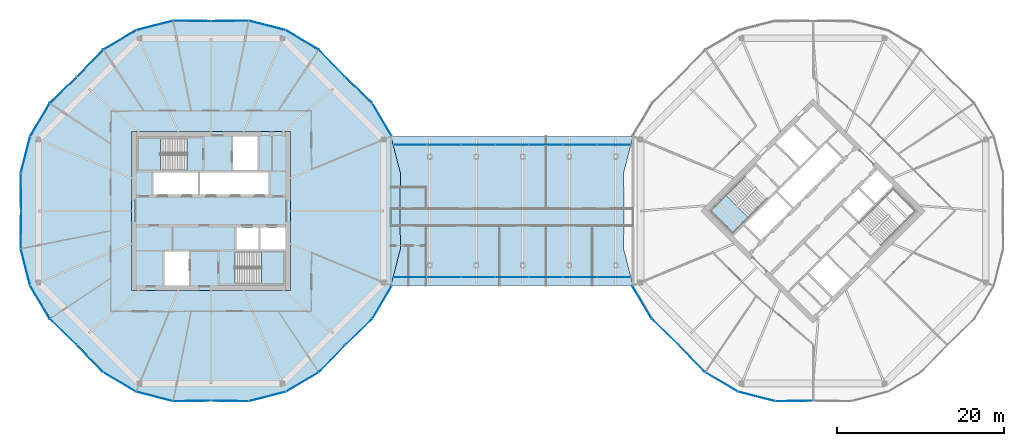
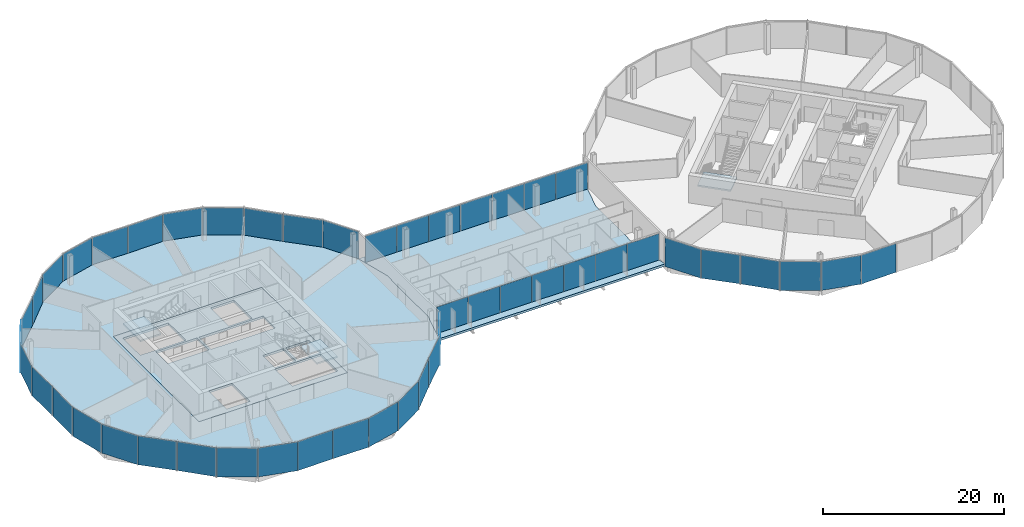
# One storey, part 17 of 25: 48 plates, 6 slabs, 15 elements without a shape of their own.
"""IFC4 building model written with IfcOpenShell, lengths in metres."""

from ifc_helpers import new_model, si_unit, direction, frame, origin, origin_2d, place, context, subcontext, project, spatial, polyline, rectangle, outline, extrude, material, layer, layer_set, type_object, element, aggregate, save


model = new_model("IFC4")

# Units and contexts
model_context = context("Model", 3, precision=1e-05, world=origin(), true_north=direction((0.0, 1.0)))
body_context = subcontext(model_context, "Body", "Model", "MODEL_VIEW")
ifc_project = project(units=[si_unit("LENGTHUNIT", "METRE"), si_unit("AREAUNIT", "SQUARE_METRE"), si_unit("VOLUMEUNIT", "CUBIC_METRE"), si_unit("PLANEANGLEUNIT", "RADIAN"), si_unit("MASSUNIT", "GRAM", prefix="KILO")], contexts=[model_context])

# Site, building, storey
site_placement = place(None, origin())
site = spatial("IfcSite", under=ifc_project, at=site_placement, CompositionType="ELEMENT")
building_placement = place(site_placement, origin())
building = spatial("IfcBuilding", under=site, at=building_placement, Name="Ogive Gate Towers", CompositionType="ELEMENT")
storey_placement = place(building_placement, frame((0.0, 0.0, 144.800048828125)))
storey = spatial("IfcBuildingStorey", under=building, at=storey_placement, Name="L34", CompositionType="ELEMENT", Elevation=144.800048828125)

# Slabs
ifc_material_1 = material(Name="Concrete C40/50", Category="concrete")
ifc_layer_1 = layer(ifc_material_1, 0.300048828125)
ifc_layer_set_1 = layer_set([ifc_layer_1], Name="Core slab C40/50 300 mm")
slab_type_1 = type_object("IfcSlabType", Name="Core slab C40/50 300 mm", PredefinedType="FLOOR", material=ifc_layer_set_1)
slab_1_placement = place(storey_placement, frame((0.0, 0.0, -0.300048828125)))
element("IfcSlab", 1, at=slab_1_placement, inside=storey, type_object=slab_type_1, Name="T1 L34 core slab", PredefinedType="FLOOR", context=body_context, shape_type="SweptSolid", body=[
    extrude(outline(polyline([(-45.5, -9.5), (-45.5, 9.5), (-26.5, 9.5), (-26.5, -9.5), (-45.5, -9.5)]), holes=[polyline([(-42.875, 1.949951171875), (-37.574951171875, 1.949951171875), (-37.574951171875, 4.625), (-42.875, 4.625), (-42.875, 1.949951171875)]), polyline([(-37.324951171875, 4.625), (-37.324951171875, 1.949951171875), (-29.125, 1.949951171875), (-29.125, 4.625), (-37.324951171875, 4.625)]), polyline([(-30.324951171875, -1.949951171875), (-32.97509765625, -1.949951171875), (-32.97509765625, -4.625), (-30.324951171875, -4.625), (-30.324951171875, -1.949951171875)]), polyline([(-27.10009765625, -4.625), (-27.10009765625, -1.949951171875), (-30.074951171875, -1.949951171875), (-30.074951171875, -4.625), (-27.10009765625, -4.625)]), polyline([(-33.375, 4.875), (-30.425048828125, 4.875), (-30.425048828125, 8.89990234375), (-33.375, 8.89990234375), (-33.375, 4.875)]), polyline([(-41.574951171875, -4.875), (-41.574951171875, -8.89990234375), (-38.625, -8.89990234375), (-38.625, -4.875), (-41.574951171875, -4.875)]), polyline([(-44.699951171875, 4.875), (-38.885009765625, 4.875), (-38.885009765625, 8.699951171875), (-44.699951171875, 8.699951171875), (-44.699951171875, 4.875)]), polyline([(-27.300048828125, -8.699951171875), (-27.300048828125, -4.875), (-33.114990234375, -4.875), (-33.114990234375, -8.699951171875), (-27.300048828125, -8.699951171875)])]), origin(), (0.0, 0.0, 1.0), 0.300048828125),
])
ifc_material_2 = material(Name="Concrete C35/45", Category="concrete")
ifc_layer_2 = layer(ifc_material_2, 0.300048828125)
ifc_layer_set_2 = layer_set([ifc_layer_2], Name="Floor slab 300")
slab_type_2 = type_object("IfcSlabType", Name="Floor slab 300", PredefinedType="FLOOR", material=ifc_layer_set_2)
slab_2_placement = place(storey_placement, frame((0.0, 0.0, -0.300048828125)))
element("IfcSlab", 2, at=slab_2_placement, inside=storey, type_object=slab_type_2, Name="T1/L34/SSL001", PredefinedType="FLOOR", context=body_context, shape_type="SweptSolid", body=[
    extrude(outline(polyline([(-13.34375, -4.506591796875), (-13.39990234375, 0.0), (-13.34375, 4.506591796875), (-14.4736328125, 8.91650390625), (-16.79296875, 12.833740234375), (-20.019287109375, 15.980712890625), (-23.166259765625, 19.20703125), (-27.08349609375, 21.5263671875), (-31.493408203125, 22.65625), (-36.0, 22.60009765625), (-40.506591796875, 22.65625), (-44.91650390625, 21.5263671875), (-48.833740234375, 19.20703125), (-51.980712890625, 15.980712890625), (-55.20703125, 12.833740234375), (-57.5263671875, 8.91650390625), (-58.65625, 4.506591796875), (-58.60009765625, 0.0), (-58.65625, -4.506591796875), (-57.5263671875, -8.91650390625), (-55.20703125, -12.833740234375), (-51.980712890625, -15.980712890625), (-48.833740234375, -19.20703125), (-44.91650390625, -21.5263671875), (-40.506591796875, -22.65625), (-36.0, -22.60009765625), (-31.493408203125, -22.65625), (-27.08349609375, -21.5263671875), (-23.166259765625, -19.20703125), (-20.019287109375, -15.980712890625), (-16.79296875, -12.833740234375), (-14.4736328125, -8.91650390625), (-13.34375, -4.506591796875)]), holes=[polyline([(-26.5, -9.5), (-45.5, -9.5), (-45.5, 9.5), (-26.5, 9.5), (-26.5, -9.5)])]), origin(), (0.0, 0.0, 1.0), 0.300048828125),
])
slab_3_placement = place(storey_placement, frame((0.0, 0.0, -0.300048828125)))
element("IfcSlab", 3, at=slab_3_placement, inside=storey, type_object=slab_type_2, Name="BR/L34/SSL001", PredefinedType="FLOOR", context=body_context, shape_type="SweptSolid", body=[
    extrude(outline(polyline([(-14.4736328125, -8.91650390625), (14.4736328125, -8.91650390625), (14.4736328125, -8.91650390625), (13.34375, -4.506591796875), (13.39990234375, 0.0), (13.34375, 4.506591796875), (14.4736328125, 8.91650390625), (-14.4736328125, 8.91650390625), (-13.34375, 4.506591796875), (-13.39990234375, 0.0), (-13.34375, -4.506591796875), (-14.4736328125, -8.91650390625), (-14.4736328125, -8.91650390625)])), origin(), (0.0, 0.0, 1.0), 0.300048828125),
])

# Curtain wall, plates
ifc_material_3 = material(Name="Pale metal aluminium", Category="aluminium")
curtain_wall_type_1 = type_object("IfcCurtainWallType", Name="Gate block facade", PredefinedType="NOTDEFINED", material=ifc_material_3)
curtain_wall_1_placement = place(storey_placement, origin())
curtain_wall_1 = element("IfcCurtainWall", 4, at=curtain_wall_1_placement, inside=storey, type_object=curtain_wall_type_1, Name="CW3 BR ECW01", PredefinedType="NOTDEFINED")
ifc_material_4 = material(Name="Clear glass", Category="glass")
ifc_layer_3 = layer(ifc_material_4, 0.028076171875)
ifc_layer_set_3 = layer_set([ifc_layer_3], Name="Gate block facade glass panel")
plate_type_1 = type_object("IfcPlateType", Name="Gate block facade glass panel", PredefinedType="CURTAIN_PANEL", material=ifc_layer_set_3)
plate_1_placement = place(storey_placement, frame((-12.186279296875, -7.91650390625, -0.30029296875), z_axis=(0.0, 0.0, 1.0), x_axis=(1.0, 0.0, 0.0)))
plate_1 = element("IfcPlate", 5, at=plate_1_placement, type_object=plate_type_1, Name="CW3 glass panel", PredefinedType="CURTAIN_PANEL", context=body_context, shape_type="SweptSolid", body=[
    extrude(rectangle(XDim=4.008056640625, YDim=0.028076171875, at=origin_2d()), origin(), (0.0, 0.0, 1.0), 3.884033203125),
])
plate_2_placement = place(storey_placement, frame((-8.124267578125, -7.91650390625, -0.30029296875), z_axis=(0.0, 0.0, 1.0), x_axis=(1.0, 0.0, 0.0)))
plate_2 = element("IfcPlate", 6, at=plate_2_placement, type_object=plate_type_1, Name="CW3 glass panel", PredefinedType="CURTAIN_PANEL", context=body_context, shape_type="SweptSolid", body=[
    extrude(rectangle(XDim=4.008056640625, YDim=0.028076171875, at=origin_2d()), origin(), (0.0, 0.0, 1.0), 3.884033203125),
])
plate_3_placement = place(storey_placement, frame((-4.06201171875, -7.91650390625, -0.30029296875), z_axis=(0.0, 0.0, 1.0), x_axis=(1.0, 0.0, 0.0)))
plate_3 = element("IfcPlate", 7, at=plate_3_placement, type_object=plate_type_1, Name="CW3 glass panel", PredefinedType="CURTAIN_PANEL", context=body_context, shape_type="SweptSolid", body=[
    extrude(rectangle(XDim=4.008056640625, YDim=0.028076171875, at=origin_2d()), origin(), (0.0, 0.0, 1.0), 3.884033203125),
])
plate_4_placement = place(storey_placement, frame((0.0, -7.91650390625, -0.30029296875), z_axis=(0.0, 0.0, 1.0), x_axis=(1.0, 0.0, 0.0)))
plate_4 = element("IfcPlate", 8, at=plate_4_placement, type_object=plate_type_1, Name="CW3 glass panel", PredefinedType="CURTAIN_PANEL", context=body_context, shape_type="SweptSolid", body=[
    extrude(rectangle(XDim=4.00830078125, YDim=0.028076171875, at=origin_2d()), origin(), (0.0, 0.0, 1.0), 3.884033203125),
])
plate_5_placement = place(storey_placement, frame((4.06201171875, -7.91650390625, -0.30029296875), z_axis=(0.0, 0.0, 1.0), x_axis=(1.0, 0.0, 0.0)))
plate_5 = element("IfcPlate", 9, at=plate_5_placement, type_object=plate_type_1, Name="CW3 glass panel", PredefinedType="CURTAIN_PANEL", context=body_context, shape_type="SweptSolid", body=[
    extrude(rectangle(XDim=4.008056640625, YDim=0.028076171875, at=origin_2d()), origin(), (0.0, 0.0, 1.0), 3.884033203125),
])
plate_6_placement = place(storey_placement, frame((8.124267578125, -7.91650390625, -0.30029296875), z_axis=(0.0, 0.0, 1.0), x_axis=(1.0, 0.0, 0.0)))
plate_6 = element("IfcPlate", 10, at=plate_6_placement, type_object=plate_type_1, Name="CW3 glass panel", PredefinedType="CURTAIN_PANEL", context=body_context, shape_type="SweptSolid", body=[
    extrude(rectangle(XDim=4.008056640625, YDim=0.028076171875, at=origin_2d()), origin(), (0.0, 0.0, 1.0), 3.884033203125),
])
plate_7_placement = place(storey_placement, frame((12.186279296875, -7.91650390625, -0.30029296875), z_axis=(0.0, 0.0, 1.0), x_axis=(1.0, 0.0, 0.0)))
plate_7 = element("IfcPlate", 11, at=plate_7_placement, type_object=plate_type_1, Name="CW3 glass panel", PredefinedType="CURTAIN_PANEL", context=body_context, shape_type="SweptSolid", body=[
    extrude(rectangle(XDim=4.008056640625, YDim=0.028076171875, at=origin_2d()), origin(), (0.0, 0.0, 1.0), 3.884033203125),
])
aggregate(curtain_wall_1, [plate_1, plate_2, plate_3, plate_4, plate_5, plate_6, plate_7])

curtain_wall_2_placement = place(storey_placement, origin())
curtain_wall_2 = element("IfcCurtainWall", 12, at=curtain_wall_2_placement, inside=storey, type_object=curtain_wall_type_1, Name="CW3 BR ECW02", PredefinedType="NOTDEFINED")
plate_8_placement = place(storey_placement, frame((12.186279296875, 7.91650390625, -0.30029296875), z_axis=(0.0, 0.0, 1.0), x_axis=(-1.0, 0.0, 0.0)))
plate_8 = element("IfcPlate", 13, at=plate_8_placement, type_object=plate_type_1, Name="CW3 glass panel", PredefinedType="CURTAIN_PANEL", context=body_context, shape_type="SweptSolid", body=[
    extrude(rectangle(XDim=4.008056640625, YDim=0.028076171875, at=origin_2d()), origin(), (0.0, 0.0, 1.0), 3.884033203125),
])
plate_9_placement = place(storey_placement, frame((8.124267578125, 7.91650390625, -0.30029296875), z_axis=(0.0, 0.0, 1.0), x_axis=(-1.0, 0.0, 0.0)))
plate_9 = element("IfcPlate", 14, at=plate_9_placement, type_object=plate_type_1, Name="CW3 glass panel", PredefinedType="CURTAIN_PANEL", context=body_context, shape_type="SweptSolid", body=[
    extrude(rectangle(XDim=4.008056640625, YDim=0.028076171875, at=origin_2d()), origin(), (0.0, 0.0, 1.0), 3.884033203125),
])
plate_10_placement = place(storey_placement, frame((4.06201171875, 7.91650390625, -0.30029296875), z_axis=(0.0, 0.0, 1.0), x_axis=(-1.0, 0.0, 0.0)))
plate_10 = element("IfcPlate", 15, at=plate_10_placement, type_object=plate_type_1, Name="CW3 glass panel", PredefinedType="CURTAIN_PANEL", context=body_context, shape_type="SweptSolid", body=[
    extrude(rectangle(XDim=4.008056640625, YDim=0.028076171875, at=origin_2d()), origin(), (0.0, 0.0, 1.0), 3.884033203125),
])
plate_11_placement = place(storey_placement, frame((0.0, 7.91650390625, -0.30029296875), z_axis=(0.0, 0.0, 1.0), x_axis=(-1.0, 0.0, 0.0)))
plate_11 = element("IfcPlate", 16, at=plate_11_placement, type_object=plate_type_1, Name="CW3 glass panel", PredefinedType="CURTAIN_PANEL", context=body_context, shape_type="SweptSolid", body=[
    extrude(rectangle(XDim=4.00830078125, YDim=0.028076171875, at=origin_2d()), origin(), (0.0, 0.0, 1.0), 3.884033203125),
])
plate_12_placement = place(storey_placement, frame((-4.06201171875, 7.91650390625, -0.30029296875), z_axis=(0.0, 0.0, 1.0), x_axis=(-1.0, 0.0, 0.0)))
plate_12 = element("IfcPlate", 17, at=plate_12_placement, type_object=plate_type_1, Name="CW3 glass panel", PredefinedType="CURTAIN_PANEL", context=body_context, shape_type="SweptSolid", body=[
    extrude(rectangle(XDim=4.008056640625, YDim=0.028076171875, at=origin_2d()), origin(), (0.0, 0.0, 1.0), 3.884033203125),
])
plate_13_placement = place(storey_placement, frame((-8.124267578125, 7.91650390625, -0.30029296875), z_axis=(0.0, 0.0, 1.0), x_axis=(-1.0, 0.0, 0.0)))
plate_13 = element("IfcPlate", 18, at=plate_13_placement, type_object=plate_type_1, Name="CW3 glass panel", PredefinedType="CURTAIN_PANEL", context=body_context, shape_type="SweptSolid", body=[
    extrude(rectangle(XDim=4.008056640625, YDim=0.028076171875, at=origin_2d()), origin(), (0.0, 0.0, 1.0), 3.884033203125),
])
plate_14_placement = place(storey_placement, frame((-12.186279296875, 7.91650390625, -0.30029296875), z_axis=(0.0, 0.0, 1.0), x_axis=(-1.0, 0.0, 0.0)))
plate_14 = element("IfcPlate", 19, at=plate_14_placement, type_object=plate_type_1, Name="CW3 glass panel", PredefinedType="CURTAIN_PANEL", context=body_context, shape_type="SweptSolid", body=[
    extrude(rectangle(XDim=4.008056640625, YDim=0.028076171875, at=origin_2d()), origin(), (0.0, 0.0, 1.0), 3.884033203125),
])
aggregate(curtain_wall_2, [plate_8, plate_9, plate_10, plate_11, plate_12, plate_13, plate_14])

# Stair, slab
stair_type = type_object("IfcStairType", Name="Escape stair 1840 wide", PredefinedType="HALF_TURN_STAIR", material=ifc_material_1)
stair_1_placement = place(storey_placement, origin())
stair_1 = element("IfcStair", 20, at=stair_1_placement, inside=storey, type_object=stair_type, Name="L34 Escape stair 1", PredefinedType="HALF_TURN_STAIR")
ifc_layer_4 = layer(ifc_material_1, 0.199951171875)
ifc_layer_set_4 = layer_set([ifc_layer_4], Name="Stair landing 200 mm")
slab_type_3 = type_object("IfcSlabType", Name="Stair landing 200 mm", PredefinedType="LANDING", material=ifc_layer_set_4)
slab_4_placement = place(storey_placement, frame((0.0, 0.0, 1.800048828125)))
slab_4 = element("IfcSlab", 21, at=slab_4_placement, type_object=slab_type_3, Name="ST1 landing 1", PredefinedType="LANDING", context=body_context, shape_type="SweptSolid", body=[
    extrude(outline(polyline([(-42.027587890625, 8.699951171875), (-44.699951171875, 8.699951171875), (-44.699951171875, 4.875), (-42.027587890625, 4.875), (-42.027587890625, 8.699951171875)])), origin(), (0.0, 0.0, 1.0), 0.199951171875),
])
aggregate(stair_1, [slab_4])

stair_2_placement = place(storey_placement, origin())
stair_2 = element("IfcStair", 22, at=stair_2_placement, inside=storey, type_object=stair_type, Name="L34 Escape stair 2", PredefinedType="HALF_TURN_STAIR")
slab_5_placement = place(storey_placement, frame((0.0, 0.0, 1.800048828125)))
slab_5 = element("IfcSlab", 23, at=slab_5_placement, type_object=slab_type_3, Name="ST2 landing 1", PredefinedType="LANDING", context=body_context, shape_type="SweptSolid", body=[
    extrude(outline(polyline([(-29.972412109375, -8.699951171875), (-27.300048828125, -8.699951171875), (-27.300048828125, -4.875), (-29.972412109375, -4.875), (-29.972412109375, -8.699951171875)])), origin(), (0.0, 0.0, 1.0), 0.199951171875),
])
aggregate(stair_2, [slab_5])

stair_3_placement = place(storey_placement, origin())
stair_3 = element("IfcStair", 24, at=stair_3_placement, inside=storey, type_object=stair_type, Name="L34 Escape stair 1", PredefinedType="HALF_TURN_STAIR")
slab_6_placement = place(storey_placement, frame((0.0, 0.0, 1.800048828125)))
slab_6 = element("IfcSlab", 25, at=slab_6_placement, type_object=slab_type_3, Name="ST1 landing 1", PredefinedType="LANDING", context=body_context, shape_type="SweptSolid", body=[
    extrude(outline(polyline([(25.586181640625, 1.8896484375), (23.6962890625, 0.0), (26.401123046875, -2.70458984375), (28.290771484375, -0.81494140625), (25.586181640625, 1.8896484375)])), origin(), (0.0, 0.0, 1.0), 0.199951171875),
])
aggregate(stair_3, [slab_6])

# Curtain wall, plates
curtain_wall_type_2 = type_object("IfcCurtainWallType", Name="Tower unitised wall, high zone", PredefinedType="NOTDEFINED", material=ifc_material_3)
curtain_wall_3_placement = place(storey_placement, origin())
curtain_wall_3 = element("IfcCurtainWall", 26, at=curtain_wall_3_placement, inside=storey, type_object=curtain_wall_type_2, Name="CW2 T1 ECW01", PredefinedType="NOTDEFINED")
ifc_layer_5 = layer(ifc_material_4, 0.028076171875)
ifc_layer_set_5 = layer_set([ifc_layer_5], Name="Tower unitised wall, high zone glass panel")
plate_type_2 = type_object("IfcPlateType", Name="Tower unitised wall, high zone glass panel", PredefinedType="CURTAIN_PANEL", material=ifc_layer_set_5)
plate_15_placement = place(storey_placement, frame((-15.546142578125, 10.923828125, -0.30029296875), z_axis=(0.0, 0.0, 1.0), x_axis=(-0.509507047474, 0.860466483121, 0.0)))
plate_15 = element("IfcPlate", 27, at=plate_15_placement, type_object=plate_type_2, Name="CW2 glass panel", PredefinedType="CURTAIN_PANEL", context=body_context, shape_type="SweptSolid", body=[
    extrude(rectangle(XDim=4.52197265625, YDim=0.028076171875, at=origin_2d()), origin(), (0.0, 0.0, 1.0), 3.904052734375),
])
plate_16_placement = place(storey_placement, frame((-18.33251953125, 14.47509765625, -0.30029296875), z_axis=(0.0, 0.0, 1.0), x_axis=(-0.715863367385, 0.698240387858, 0.0)))
plate_16 = element("IfcPlate", 28, at=plate_16_placement, type_object=plate_type_2, Name="CW2 glass panel", PredefinedType="CURTAIN_PANEL", context=body_context, shape_type="SweptSolid", body=[
    extrude(rectangle(XDim=4.461181640625, YDim=0.028076171875, at=origin_2d()), origin(), (0.0, 0.0, 1.0), 3.904052734375),
])
aggregate(curtain_wall_3, [plate_15, plate_16])

curtain_wall_4_placement = place(storey_placement, origin())
curtain_wall_4 = element("IfcCurtainWall", 29, at=curtain_wall_4_placement, inside=storey, type_object=curtain_wall_type_2, Name="CW2 T1 ECW02", PredefinedType="NOTDEFINED")
plate_17_placement = place(storey_placement, frame((-21.52490234375, 17.66748046875, -0.30029296875), z_axis=(0.0, 0.0, 1.0), x_axis=(-0.698240387858, 0.715863367385, 0.0)))
plate_17 = element("IfcPlate", 30, at=plate_17_placement, type_object=plate_type_2, Name="CW2 glass panel", PredefinedType="CURTAIN_PANEL", context=body_context, shape_type="SweptSolid", body=[
    extrude(rectangle(XDim=4.461181640625, YDim=0.028076171875, at=origin_2d()), origin(), (0.0, 0.0, 1.0), 3.904052734375),
])
plate_18_placement = place(storey_placement, frame((-25.07421875, 20.452880859375, -0.30029296875), z_axis=(0.0, 0.0, 1.0), x_axis=(-0.860466483121, 0.509507047474, 0.0)))
plate_18 = element("IfcPlate", 31, at=plate_18_placement, type_object=plate_type_2, Name="CW2 glass panel", PredefinedType="CURTAIN_PANEL", context=body_context, shape_type="SweptSolid", body=[
    extrude(rectangle(XDim=4.51806640625, YDim=0.028076171875, at=origin_2d()), origin(), (0.0, 0.0, 1.0), 3.904052734375),
])
plate_19_placement = place(storey_placement, frame((-29.26318359375, 22.18798828125, -0.30029296875), z_axis=(0.0, 0.0, 1.0), x_axis=(-0.96871757353, 0.248165796868, 0.0)))
plate_19 = element("IfcPlate", 32, at=plate_19_placement, type_object=plate_type_2, Name="CW2 glass panel", PredefinedType="CURTAIN_PANEL", context=body_context, shape_type="SweptSolid", body=[
    extrude(rectangle(XDim=4.51806640625, YDim=0.028076171875, at=origin_2d()), origin(), (0.0, 0.0, 1.0), 3.904052734375),
])
plate_20_placement = place(storey_placement, frame((-33.74267578125, 22.72802734375, -0.30029296875), z_axis=(0.0, 0.0, 1.0), x_axis=(-0.999922354634, -0.012461328328, 0.0)))
plate_20 = element("IfcPlate", 33, at=plate_20_placement, type_object=plate_type_2, Name="CW2 glass panel", PredefinedType="CURTAIN_PANEL", context=body_context, shape_type="SweptSolid", body=[
    extrude(rectangle(XDim=4.461181640625, YDim=0.028076171875, at=origin_2d()), origin(), (0.0, 0.0, 1.0), 3.904052734375),
])
aggregate(curtain_wall_4, [plate_17, plate_18, plate_19, plate_20])

curtain_wall_5_placement = place(storey_placement, origin())
curtain_wall_5 = element("IfcCurtainWall", 34, at=curtain_wall_5_placement, inside=storey, type_object=curtain_wall_type_2, Name="CW2 T1 ECW03", PredefinedType="NOTDEFINED")
plate_21_placement = place(storey_placement, frame((-38.25732421875, 22.72802734375, -0.30029296875), z_axis=(0.0, 0.0, 1.0), x_axis=(-0.999922354634, 0.012461328328, 0.0)))
plate_21 = element("IfcPlate", 35, at=plate_21_placement, type_object=plate_type_2, Name="CW2 glass panel", PredefinedType="CURTAIN_PANEL", context=body_context, shape_type="SweptSolid", body=[
    extrude(rectangle(XDim=4.461181640625, YDim=0.028076171875, at=origin_2d()), origin(), (0.0, 0.0, 1.0), 3.904052734375),
])
plate_22_placement = place(storey_placement, frame((-42.73681640625, 22.18798828125, -0.30029296875), z_axis=(0.0, 0.0, 1.0), x_axis=(-0.96871757353, -0.248165796868, 0.0)))
plate_22 = element("IfcPlate", 36, at=plate_22_placement, type_object=plate_type_2, Name="CW2 glass panel", PredefinedType="CURTAIN_PANEL", context=body_context, shape_type="SweptSolid", body=[
    extrude(rectangle(XDim=4.51806640625, YDim=0.028076171875, at=origin_2d()), origin(), (0.0, 0.0, 1.0), 3.904052734375),
])
plate_23_placement = place(storey_placement, frame((-46.92578125, 20.452880859375, -0.30029296875), z_axis=(0.0, 0.0, 1.0), x_axis=(-0.860466483121, -0.509507047474, 0.0)))
plate_23 = element("IfcPlate", 37, at=plate_23_placement, type_object=plate_type_2, Name="CW2 glass panel", PredefinedType="CURTAIN_PANEL", context=body_context, shape_type="SweptSolid", body=[
    extrude(rectangle(XDim=4.51806640625, YDim=0.028076171875, at=origin_2d()), origin(), (0.0, 0.0, 1.0), 3.904052734375),
])
plate_24_placement = place(storey_placement, frame((-50.47509765625, 17.66748046875, -0.30029296875), z_axis=(0.0, 0.0, 1.0), x_axis=(-0.698240387858, -0.715863367385, 0.0)))
plate_24 = element("IfcPlate", 38, at=plate_24_placement, type_object=plate_type_2, Name="CW2 glass panel", PredefinedType="CURTAIN_PANEL", context=body_context, shape_type="SweptSolid", body=[
    extrude(rectangle(XDim=4.461181640625, YDim=0.028076171875, at=origin_2d()), origin(), (0.0, 0.0, 1.0), 3.904052734375),
])
aggregate(curtain_wall_5, [plate_21, plate_22, plate_23, plate_24])

curtain_wall_6_placement = place(storey_placement, origin())
curtain_wall_6 = element("IfcCurtainWall", 39, at=curtain_wall_6_placement, inside=storey, type_object=curtain_wall_type_2, Name="CW2 T1 ECW04", PredefinedType="NOTDEFINED")
plate_25_placement = place(storey_placement, frame((-53.66748046875, 14.47509765625, -0.30029296875), z_axis=(0.0, 0.0, 1.0), x_axis=(-0.715863367385, -0.698240387858, 0.0)))
plate_25 = element("IfcPlate", 40, at=plate_25_placement, type_object=plate_type_2, Name="CW2 glass panel", PredefinedType="CURTAIN_PANEL", context=body_context, shape_type="SweptSolid", body=[
    extrude(rectangle(XDim=4.461181640625, YDim=0.028076171875, at=origin_2d()), origin(), (0.0, 0.0, 1.0), 3.904052734375),
])
plate_26_placement = place(storey_placement, frame((-56.452880859375, 10.92578125, -0.30029296875), z_axis=(0.0, 0.0, 1.0), x_axis=(-0.509507047474, -0.860466483121, 0.0)))
plate_26 = element("IfcPlate", 41, at=plate_26_placement, type_object=plate_type_2, Name="CW2 glass panel", PredefinedType="CURTAIN_PANEL", context=body_context, shape_type="SweptSolid", body=[
    extrude(rectangle(XDim=4.51806640625, YDim=0.028076171875, at=origin_2d()), origin(), (0.0, 0.0, 1.0), 3.904052734375),
])
plate_27_placement = place(storey_placement, frame((-58.18798828125, 6.73681640625, -0.30029296875), z_axis=(0.0, 0.0, 1.0), x_axis=(-0.248165796868, -0.96871757353, 0.0)))
plate_27 = element("IfcPlate", 42, at=plate_27_placement, type_object=plate_type_2, Name="CW2 glass panel", PredefinedType="CURTAIN_PANEL", context=body_context, shape_type="SweptSolid", body=[
    extrude(rectangle(XDim=4.51806640625, YDim=0.028076171875, at=origin_2d()), origin(), (0.0, 0.0, 1.0), 3.904052734375),
])
plate_28_placement = place(storey_placement, frame((-58.72802734375, 2.25732421875, -0.30029296875), z_axis=(0.0, 0.0, 1.0), x_axis=(0.012461328328, -0.999922354634, 0.0)))
plate_28 = element("IfcPlate", 43, at=plate_28_placement, type_object=plate_type_2, Name="CW2 glass panel", PredefinedType="CURTAIN_PANEL", context=body_context, shape_type="SweptSolid", body=[
    extrude(rectangle(XDim=4.461181640625, YDim=0.028076171875, at=origin_2d()), origin(), (0.0, 0.0, 1.0), 3.904052734375),
])
aggregate(curtain_wall_6, [plate_25, plate_26, plate_27, plate_28])

curtain_wall_7_placement = place(storey_placement, origin())
curtain_wall_7 = element("IfcCurtainWall", 44, at=curtain_wall_7_placement, inside=storey, type_object=curtain_wall_type_2, Name="CW2 T1 ECW05", PredefinedType="NOTDEFINED")
plate_29_placement = place(storey_placement, frame((-58.72802734375, -2.25732421875, -0.30029296875), z_axis=(0.0, 0.0, 1.0), x_axis=(-0.012461328328, -0.999922354634, 0.0)))
plate_29 = element("IfcPlate", 45, at=plate_29_placement, type_object=plate_type_2, Name="CW2 glass panel", PredefinedType="CURTAIN_PANEL", context=body_context, shape_type="SweptSolid", body=[
    extrude(rectangle(XDim=4.461181640625, YDim=0.028076171875, at=origin_2d()), origin(), (0.0, 0.0, 1.0), 3.904052734375),
])
plate_30_placement = place(storey_placement, frame((-58.18798828125, -6.73681640625, -0.30029296875), z_axis=(0.0, 0.0, 1.0), x_axis=(0.248165796868, -0.96871757353, 0.0)))
plate_30 = element("IfcPlate", 46, at=plate_30_placement, type_object=plate_type_2, Name="CW2 glass panel", PredefinedType="CURTAIN_PANEL", context=body_context, shape_type="SweptSolid", body=[
    extrude(rectangle(XDim=4.51806640625, YDim=0.028076171875, at=origin_2d()), origin(), (0.0, 0.0, 1.0), 3.904052734375),
])
plate_31_placement = place(storey_placement, frame((-56.452880859375, -10.92578125, -0.30029296875), z_axis=(0.0, 0.0, 1.0), x_axis=(0.509507047474, -0.860466483121, 0.0)))
plate_31 = element("IfcPlate", 47, at=plate_31_placement, type_object=plate_type_2, Name="CW2 glass panel", PredefinedType="CURTAIN_PANEL", context=body_context, shape_type="SweptSolid", body=[
    extrude(rectangle(XDim=4.51806640625, YDim=0.028076171875, at=origin_2d()), origin(), (0.0, 0.0, 1.0), 3.904052734375),
])
plate_32_placement = place(storey_placement, frame((-53.66748046875, -14.47509765625, -0.30029296875), z_axis=(0.0, 0.0, 1.0), x_axis=(0.715863367385, -0.698240387858, 0.0)))
plate_32 = element("IfcPlate", 48, at=plate_32_placement, type_object=plate_type_2, Name="CW2 glass panel", PredefinedType="CURTAIN_PANEL", context=body_context, shape_type="SweptSolid", body=[
    extrude(rectangle(XDim=4.461181640625, YDim=0.028076171875, at=origin_2d()), origin(), (0.0, 0.0, 1.0), 3.904052734375),
])
aggregate(curtain_wall_7, [plate_29, plate_30, plate_31, plate_32])

curtain_wall_8_placement = place(storey_placement, origin())
curtain_wall_8 = element("IfcCurtainWall", 49, at=curtain_wall_8_placement, inside=storey, type_object=curtain_wall_type_2, Name="CW2 T1 ECW06", PredefinedType="NOTDEFINED")
plate_33_placement = place(storey_placement, frame((-50.47509765625, -17.66748046875, -0.30029296875), z_axis=(0.0, 0.0, 1.0), x_axis=(0.698240387858, -0.715863367385, 0.0)))
plate_33 = element("IfcPlate", 50, at=plate_33_placement, type_object=plate_type_2, Name="CW2 glass panel", PredefinedType="CURTAIN_PANEL", context=body_context, shape_type="SweptSolid", body=[
    extrude(rectangle(XDim=4.461181640625, YDim=0.028076171875, at=origin_2d()), origin(), (0.0, 0.0, 1.0), 3.904052734375),
])
plate_34_placement = place(storey_placement, frame((-46.92578125, -20.452880859375, -0.30029296875), z_axis=(0.0, 0.0, 1.0), x_axis=(0.860466483121, -0.509507047474, 0.0)))
plate_34 = element("IfcPlate", 51, at=plate_34_placement, type_object=plate_type_2, Name="CW2 glass panel", PredefinedType="CURTAIN_PANEL", context=body_context, shape_type="SweptSolid", body=[
    extrude(rectangle(XDim=4.51806640625, YDim=0.028076171875, at=origin_2d()), origin(), (0.0, 0.0, 1.0), 3.904052734375),
])
plate_35_placement = place(storey_placement, frame((-42.73681640625, -22.18798828125, -0.30029296875), z_axis=(0.0, 0.0, 1.0), x_axis=(0.96871757353, -0.248165796868, 0.0)))
plate_35 = element("IfcPlate", 52, at=plate_35_placement, type_object=plate_type_2, Name="CW2 glass panel", PredefinedType="CURTAIN_PANEL", context=body_context, shape_type="SweptSolid", body=[
    extrude(rectangle(XDim=4.51806640625, YDim=0.028076171875, at=origin_2d()), origin(), (0.0, 0.0, 1.0), 3.904052734375),
])
plate_36_placement = place(storey_placement, frame((-38.25732421875, -22.72802734375, -0.30029296875), z_axis=(0.0, 0.0, 1.0), x_axis=(0.999922354634, 0.012461328328, 0.0)))
plate_36 = element("IfcPlate", 53, at=plate_36_placement, type_object=plate_type_2, Name="CW2 glass panel", PredefinedType="CURTAIN_PANEL", context=body_context, shape_type="SweptSolid", body=[
    extrude(rectangle(XDim=4.461181640625, YDim=0.028076171875, at=origin_2d()), origin(), (0.0, 0.0, 1.0), 3.904052734375),
])
aggregate(curtain_wall_8, [plate_33, plate_34, plate_35, plate_36])

curtain_wall_9_placement = place(storey_placement, origin())
curtain_wall_9 = element("IfcCurtainWall", 54, at=curtain_wall_9_placement, inside=storey, type_object=curtain_wall_type_2, Name="CW2 T1 ECW07", PredefinedType="NOTDEFINED")
plate_37_placement = place(storey_placement, frame((-33.74267578125, -22.72802734375, -0.30029296875), z_axis=(0.0, 0.0, 1.0), x_axis=(0.999922354634, -0.012461328328, 0.0)))
plate_37 = element("IfcPlate", 55, at=plate_37_placement, type_object=plate_type_2, Name="CW2 glass panel", PredefinedType="CURTAIN_PANEL", context=body_context, shape_type="SweptSolid", body=[
    extrude(rectangle(XDim=4.461181640625, YDim=0.028076171875, at=origin_2d()), origin(), (0.0, 0.0, 1.0), 3.904052734375),
])
plate_38_placement = place(storey_placement, frame((-29.26318359375, -22.18798828125, -0.30029296875), z_axis=(0.0, 0.0, 1.0), x_axis=(0.96871757353, 0.248165796868, 0.0)))
plate_38 = element("IfcPlate", 56, at=plate_38_placement, type_object=plate_type_2, Name="CW2 glass panel", PredefinedType="CURTAIN_PANEL", context=body_context, shape_type="SweptSolid", body=[
    extrude(rectangle(XDim=4.51806640625, YDim=0.028076171875, at=origin_2d()), origin(), (0.0, 0.0, 1.0), 3.904052734375),
])
plate_39_placement = place(storey_placement, frame((-25.07421875, -20.452880859375, -0.30029296875), z_axis=(0.0, 0.0, 1.0), x_axis=(0.860466483121, 0.509507047474, 0.0)))
plate_39 = element("IfcPlate", 57, at=plate_39_placement, type_object=plate_type_2, Name="CW2 glass panel", PredefinedType="CURTAIN_PANEL", context=body_context, shape_type="SweptSolid", body=[
    extrude(rectangle(XDim=4.51806640625, YDim=0.028076171875, at=origin_2d()), origin(), (0.0, 0.0, 1.0), 3.904052734375),
])
plate_40_placement = place(storey_placement, frame((-21.52490234375, -17.66748046875, -0.30029296875), z_axis=(0.0, 0.0, 1.0), x_axis=(0.698240387858, 0.715863367385, 0.0)))
plate_40 = element("IfcPlate", 58, at=plate_40_placement, type_object=plate_type_2, Name="CW2 glass panel", PredefinedType="CURTAIN_PANEL", context=body_context, shape_type="SweptSolid", body=[
    extrude(rectangle(XDim=4.461181640625, YDim=0.028076171875, at=origin_2d()), origin(), (0.0, 0.0, 1.0), 3.904052734375),
])
aggregate(curtain_wall_9, [plate_37, plate_38, plate_39, plate_40])

curtain_wall_10_placement = place(storey_placement, origin())
curtain_wall_10 = element("IfcCurtainWall", 59, at=curtain_wall_10_placement, inside=storey, type_object=curtain_wall_type_2, Name="CW2 T1 ECW08", PredefinedType="NOTDEFINED")
plate_41_placement = place(storey_placement, frame((-18.33251953125, -14.47509765625, -0.30029296875), z_axis=(0.0, 0.0, 1.0), x_axis=(0.715863367385, 0.698240387858, 0.0)))
plate_41 = element("IfcPlate", 60, at=plate_41_placement, type_object=plate_type_2, Name="CW2 glass panel", PredefinedType="CURTAIN_PANEL", context=body_context, shape_type="SweptSolid", body=[
    extrude(rectangle(XDim=4.461181640625, YDim=0.028076171875, at=origin_2d()), origin(), (0.0, 0.0, 1.0), 3.904052734375),
])
plate_42_placement = place(storey_placement, frame((-15.546142578125, -10.923828125, -0.30029296875), z_axis=(0.0, 0.0, 1.0), x_axis=(0.509507047474, 0.860466483121, 0.0)))
plate_42 = element("IfcPlate", 61, at=plate_42_placement, type_object=plate_type_2, Name="CW2 glass panel", PredefinedType="CURTAIN_PANEL", context=body_context, shape_type="SweptSolid", body=[
    extrude(rectangle(XDim=4.52197265625, YDim=0.028076171875, at=origin_2d()), origin(), (0.0, 0.0, 1.0), 3.904052734375),
])
aggregate(curtain_wall_10, [plate_41, plate_42])

curtain_wall_11_placement = place(storey_placement, origin())
curtain_wall_11 = element("IfcCurtainWall", 62, at=curtain_wall_11_placement, inside=storey, type_object=curtain_wall_type_2, Name="CW2 T2 ECW05", PredefinedType="NOTDEFINED")
plate_43_placement = place(storey_placement, frame((15.546142578125, -10.923828125, -0.30029296875), z_axis=(0.0, 0.0, 1.0), x_axis=(0.509507047474, -0.860466483121, 0.0)))
plate_43 = element("IfcPlate", 63, at=plate_43_placement, type_object=plate_type_2, Name="CW2 glass panel", PredefinedType="CURTAIN_PANEL", context=body_context, shape_type="SweptSolid", body=[
    extrude(rectangle(XDim=4.52197265625, YDim=0.028076171875, at=origin_2d()), origin(), (0.0, 0.0, 1.0), 3.904052734375),
])
plate_44_placement = place(storey_placement, frame((18.33251953125, -14.47509765625, -0.30029296875), z_axis=(0.0, 0.0, 1.0), x_axis=(0.715863367385, -0.698240387858, 0.0)))
plate_44 = element("IfcPlate", 64, at=plate_44_placement, type_object=plate_type_2, Name="CW2 glass panel", PredefinedType="CURTAIN_PANEL", context=body_context, shape_type="SweptSolid", body=[
    extrude(rectangle(XDim=4.461181640625, YDim=0.028076171875, at=origin_2d()), origin(), (0.0, 0.0, 1.0), 3.904052734375),
])
aggregate(curtain_wall_11, [plate_43, plate_44])

curtain_wall_12_placement = place(storey_placement, origin())
curtain_wall_12 = element("IfcCurtainWall", 65, at=curtain_wall_12_placement, inside=storey, type_object=curtain_wall_type_2, Name="CW2 T2 ECW06", PredefinedType="NOTDEFINED")
plate_45_placement = place(storey_placement, frame((21.52490234375, -17.66748046875, -0.30029296875), z_axis=(0.0, 0.0, 1.0), x_axis=(0.698240387858, -0.715863367385, 0.0)))
plate_45 = element("IfcPlate", 66, at=plate_45_placement, type_object=plate_type_2, Name="CW2 glass panel", PredefinedType="CURTAIN_PANEL", context=body_context, shape_type="SweptSolid", body=[
    extrude(rectangle(XDim=4.461181640625, YDim=0.028076171875, at=origin_2d()), origin(), (0.0, 0.0, 1.0), 3.904052734375),
])
plate_46_placement = place(storey_placement, frame((25.07421875, -20.452880859375, -0.30029296875), z_axis=(0.0, 0.0, 1.0), x_axis=(0.860466483121, -0.509507047474, 0.0)))
plate_46 = element("IfcPlate", 67, at=plate_46_placement, type_object=plate_type_2, Name="CW2 glass panel", PredefinedType="CURTAIN_PANEL", context=body_context, shape_type="SweptSolid", body=[
    extrude(rectangle(XDim=4.51806640625, YDim=0.028076171875, at=origin_2d()), origin(), (0.0, 0.0, 1.0), 3.904052734375),
])
plate_47_placement = place(storey_placement, frame((29.26318359375, -22.18798828125, -0.30029296875), z_axis=(0.0, 0.0, 1.0), x_axis=(0.96871757353, -0.248165796868, 0.0)))
plate_47 = element("IfcPlate", 68, at=plate_47_placement, type_object=plate_type_2, Name="CW2 glass panel", PredefinedType="CURTAIN_PANEL", context=body_context, shape_type="SweptSolid", body=[
    extrude(rectangle(XDim=4.51806640625, YDim=0.028076171875, at=origin_2d()), origin(), (0.0, 0.0, 1.0), 3.904052734375),
])
plate_48_placement = place(storey_placement, frame((33.74267578125, -22.72802734375, -0.30029296875), z_axis=(0.0, 0.0, 1.0), x_axis=(0.999922354634, 0.012461328328, 0.0)))
plate_48 = element("IfcPlate", 69, at=plate_48_placement, type_object=plate_type_2, Name="CW2 glass panel", PredefinedType="CURTAIN_PANEL", context=body_context, shape_type="SweptSolid", body=[
    extrude(rectangle(XDim=4.461181640625, YDim=0.028076171875, at=origin_2d()), origin(), (0.0, 0.0, 1.0), 3.904052734375),
])
aggregate(curtain_wall_12, [plate_45, plate_46, plate_47, plate_48])

save(model, "model.ifc")
